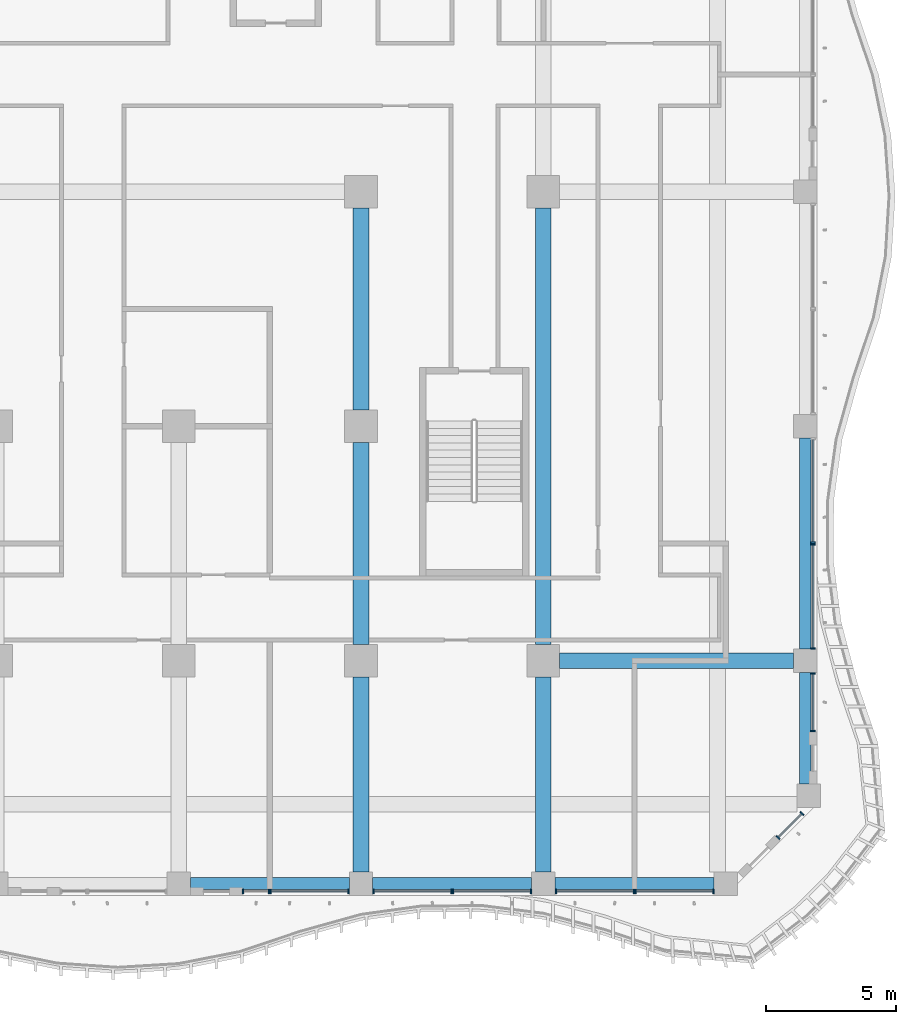
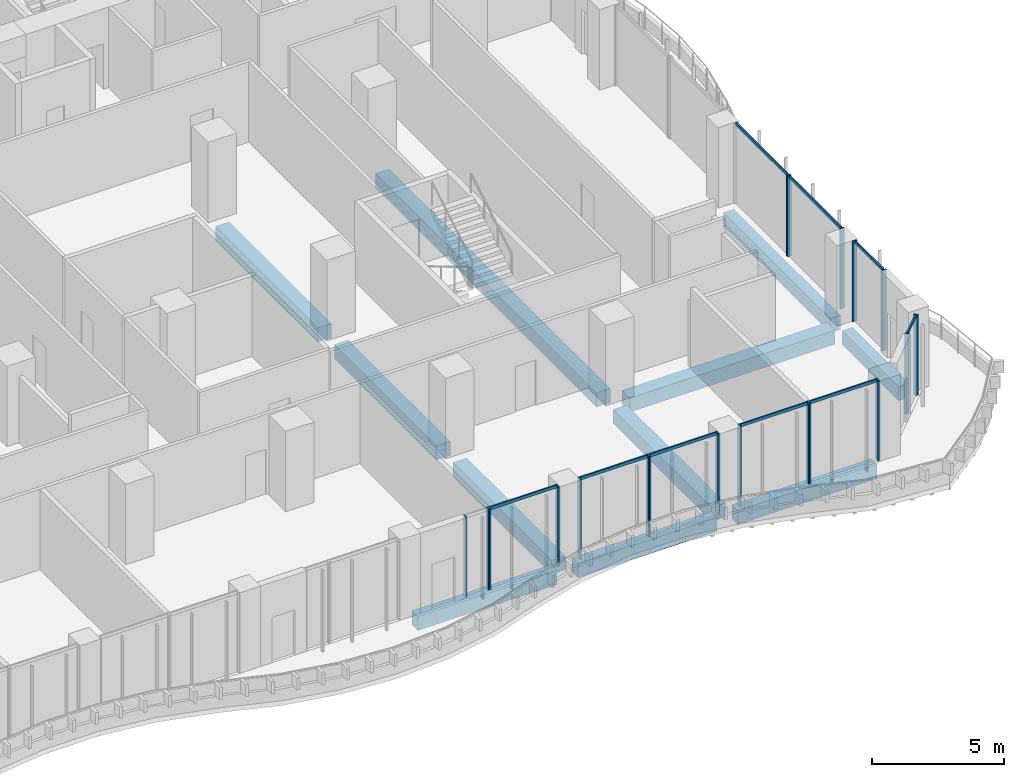
# One storey, part 4 of 26: 28 members, 11 beams, 10 elements without a shape of their own.
"""IFC4 building model written with IfcOpenShell, lengths in metres."""

import ifcopenshell
import ifcopenshell.guid

model = None  # the IFC model being written
_history = None  # IfcOwnerHistory: only IFC2X3 demands one
_inside = {}  # id of a spatial element -> (the spatial element, [elements in it])
_under = {}  # id of a project, library or spatial element -> (it, [spatial elements below it])
_declared = {}  # id of a project -> (the project, [libraries it declares])
_typed = {}  # id of a type object -> (the type object, [elements of that type])
_made_of = {}  # id of a material, layer set ... -> (it, [elements and type objects made of it])


def new_model(schema):
    """Start an empty IFC model of exactly this schema.

    Asked for "IFC4X3", IfcOpenShell would pick the latest addendum, in which some entities
    have other attributes; the version numbers below select the first issue.
    IFC2X3 requires an IfcOwnerHistory on every rooted entity: one is made here for all.
    """
    global model, _history
    if schema == "IFC4X3":
        model = ifcopenshell.file(schema_version=(4, 3, 0, 0))
    else:
        model = ifcopenshell.file(schema=schema)
    _inside.clear()
    _under.clear()
    _declared.clear()
    _typed.clear()
    _made_of.clear()
    _history = None
    if model.schema == "IFC2X3":
        org = make("IfcOrganization", Name="unknown")
        user = make(
            "IfcPersonAndOrganization",
            ThePerson=make("IfcPerson", FamilyName="unknown"),
            TheOrganization=org,
        )
        app = make(
            "IfcApplication",
            ApplicationDeveloper=org,
            Version="unknown",
            ApplicationFullName="unknown",
            ApplicationIdentifier="unknown",
        )
        _history = make(
            "IfcOwnerHistory",
            OwningUser=user,
            OwningApplication=app,
            ChangeAction="ADDED",
            CreationDate=0,
        )
    return model


def make(cls, **values):
    """One entity of the class cls with the attributes given. An attribute that is None is left unset."""
    return model.create_entity(
        cls, **{name: value for name, value in values.items() if value is not None}
    )


def rooted(cls, **values):
    """An entity with a GlobalId (a new one), such as an element, a storey or a relation."""
    return make(cls, GlobalId=ifcopenshell.guid.new(), OwnerHistory=_history, **values)


def si_unit(unit_type, name, prefix=None):
    """IfcSIUnit, for example si_unit("LENGTHUNIT", "METRE", prefix="MILLI")."""
    return make("IfcSIUnit", UnitType=unit_type, Prefix=prefix, Name=name)


def assignment(units):
    """IfcUnitAssignment: the units of a project."""
    return None if units is None else make("IfcUnitAssignment", Units=units)


def point(xyz):
    """IfcCartesianPoint."""
    return None if xyz is None else make("IfcCartesianPoint", Coordinates=xyz)


def direction(xyz):
    """IfcDirection."""
    return None if xyz is None else make("IfcDirection", DirectionRatios=xyz)


def frame(location, z_axis=None, x_axis=None):
    """IfcAxis2Placement3D, a coordinate frame: its origin and axes. An axis left out is left unset."""
    return make(
        "IfcAxis2Placement3D",
        Location=point(location),
        Axis=direction(z_axis),
        RefDirection=direction(x_axis),
    )


def frame_2d(location, x_axis=None):
    """IfcAxis2Placement2D, a coordinate frame in the plane: its origin and x axis."""
    return make(
        "IfcAxis2Placement2D", Location=point(location), RefDirection=direction(x_axis)
    )


def origin():
    """The frame at (0, 0, 0) with its axes left unset."""
    return frame((0.0, 0.0, 0.0))


def origin_2d():
    """The frame at (0, 0) in the plane with its x axis left unset."""
    return frame_2d((0.0, 0.0))


def place(relative_to, where):
    """IfcLocalPlacement: puts the frame where relative to a parent placement (None: the world)."""
    return make(
        "IfcLocalPlacement", PlacementRelTo=relative_to, RelativePlacement=where
    )


def context(
    kind, dimensions, precision=None, world=None, true_north=None, identifier=None
):
    """IfcGeometricRepresentationContext, for example the 3D "Model" context."""
    return make(
        "IfcGeometricRepresentationContext",
        ContextIdentifier=identifier,
        ContextType=kind,
        CoordinateSpaceDimension=dimensions,
        Precision=precision,
        WorldCoordinateSystem=world,
        TrueNorth=true_north,
    )


def subcontext(parent, identifier, kind, view, scale=None):
    """IfcGeometricRepresentationSubContext, for example "Body" below "Model"."""
    return make(
        "IfcGeometricRepresentationSubContext",
        ContextIdentifier=identifier,
        ContextType=kind,
        ParentContext=parent,
        TargetScale=scale,
        TargetView=view,
    )


def project(units=None, contexts=None):
    """IfcProject with its units and contexts."""
    return rooted(
        "IfcProject",
        Name="project",
        RepresentationContexts=contexts,
        UnitsInContext=assignment(units),
    )


def spatial(cls, under=None, at=None, **own):
    """A site, building, storey or space (cls), placed at a placement, below another one or the project."""
    s = rooted(cls, ObjectPlacement=at, **own)
    if under is not None:
        _under.setdefault(under.id(), (under, []))[1].append(s)
    return s


def profile(cls, at=None, kind="AREA", **sizes):
    """A parametric profile (cls). Its sizes go by their IFC names, for example OverallWidth=200.0."""
    return make(cls, ProfileType=kind, Position=at, **sizes)


def rectangle(**sizes):
    """IfcRectangleProfileDef."""
    return profile("IfcRectangleProfileDef", **sizes)


def extrude(swept, where, along, depth):
    """IfcExtrudedAreaSolid: the profile swept, set in the frame where, extruded along a direction by depth."""
    return make(
        "IfcExtrudedAreaSolid",
        SweptArea=swept,
        Position=where,
        ExtrudedDirection=direction(along),
        Depth=depth,
    )


def shape(context_of_items, identifier, shape_type, items):
    """IfcShapeRepresentation: the items that make up one representation, for example the "Body"."""
    return make(
        "IfcShapeRepresentation",
        ContextOfItems=context_of_items,
        RepresentationIdentifier=identifier,
        RepresentationType=shape_type,
        Items=items,
    )


def source(mapping_origin, context_of_items, identifier, shape_type, items):
    """IfcRepresentationMap: a shape defined once, which mapped items show again and again."""
    return make(
        "IfcRepresentationMap",
        MappingOrigin=mapping_origin,
        MappedRepresentation=shape(context_of_items, identifier, shape_type, items),
    )


def transform(
    local_origin,
    x_axis=None,
    y_axis=None,
    z_axis=None,
    scale=None,
    scale2=None,
    scale3=None,
    uniform=True,
):
    """IfcCartesianTransformationOperator3D, or its non-uniform kind. x_axis, y_axis, z_axis: its Axis1, 2, 3."""
    if uniform:
        return make(
            "IfcCartesianTransformationOperator3D",
            Axis1=direction(x_axis),
            Axis2=direction(y_axis),
            LocalOrigin=point(local_origin),
            Scale=scale,
            Axis3=direction(z_axis),
        )
    return make(
        "IfcCartesianTransformationOperator3DnonUniform",
        Axis1=direction(x_axis),
        Axis2=direction(y_axis),
        LocalOrigin=point(local_origin),
        Scale=scale,
        Axis3=direction(z_axis),
        Scale2=scale2,
        Scale3=scale3,
    )


def mapped(mapping_source, mapping_target):
    """IfcMappedItem: shows the shape of a source again, moved by a transform."""
    return make(
        "IfcMappedItem", MappingSource=mapping_source, MappingTarget=mapping_target
    )


def material(Name=None, Category=None):
    """IfcMaterial."""
    return make("IfcMaterial", Name=Name, Category=Category)


def material_profile(
    of_material, cross_section, Name=None, Category=None, Priority=None
):
    """IfcMaterialProfile: a cross section and its material."""
    return make(
        "IfcMaterialProfile",
        Name=Name,
        Material=of_material,
        Profile=cross_section,
        Priority=Priority,
        Category=Category,
    )


def profile_set(profiles, Name=None, composite=None):
    """IfcMaterialProfileSet."""
    return make(
        "IfcMaterialProfileSet",
        Name=Name,
        MaterialProfiles=profiles,
        CompositeProfile=composite,
    )


def made_of(thing, what):
    """Note that an element or type object is made of a material, layer set ...; save() writes the relation."""
    if what is not None:
        _made_of.setdefault(what.id(), (what, []))[1].append(thing)
    return thing


def type_object(cls, material=None, **own):
    """A type object (cls), such as IfcWallType, which elements share."""
    return made_of(rooted(cls, **own), material)


def element(
    cls,
    number,
    at=None,
    inside=None,
    cuts=None,
    type_object=None,
    material=None,
    context=None,
    identifier="Body",
    shape_type=None,
    held_by="IfcProductDefinitionShape",
    body=None,
    shapes=None,
    **own,
):
    """One element of the class cls, such as IfcWall. Its Tag is "e" and its number.

    at: its placement. inside: the storey or other place that contains it. cuts: it is an
    opening in that element (IfcRelVoidsElement). A single representation is given by context,
    identifier, shape_type and body (its items); several are given by shapes. held_by: the class
    of the entity that holds the representations. save() writes the other relations.
    """
    e = rooted(cls, Tag="e%d" % number, ObjectPlacement=at, **own)
    if body is not None:
        shapes = [shape(context, identifier, shape_type, body)]
    if shapes is not None:
        e.Representation = make(held_by, Representations=shapes)
    if inside is not None:
        _inside.setdefault(inside.id(), (inside, []))[1].append(e)
    if cuts is not None:
        rooted(
            "IfcRelVoidsElement", RelatingBuildingElement=cuts, RelatedOpeningElement=e
        )
    if type_object is not None:
        _typed.setdefault(type_object.id(), (type_object, []))[1].append(e)
    return made_of(e, material)


def aggregate(whole, parts):
    """IfcRelAggregates: a whole, such as a stair, and the parts it consists of."""
    return rooted("IfcRelAggregates", RelatingObject=whole, RelatedObjects=parts)


def save(model, path):
    """Write the relations noted so far, then the file.

    IfcRelAggregates (storeys below a building ...), IfcRelContainedInSpatialStructure (elements
    in a storey), IfcRelDefinesByType, IfcRelAssociatesMaterial and IfcRelDeclares: one each for
    every whole, place, type object, material and project.
    """
    for whole, parts in _under.values():
        aggregate(whole, parts)
    for where, things in _inside.values():
        rooted(
            "IfcRelContainedInSpatialStructure",
            RelatedElements=things,
            RelatingStructure=where,
        )
    for kind, things in _typed.values():
        rooted("IfcRelDefinesByType", RelatedObjects=things, RelatingType=kind)
    for what, things in _made_of.values():
        rooted("IfcRelAssociatesMaterial", RelatedObjects=things, RelatingMaterial=what)
    for by, libraries in _declared.values():
        rooted("IfcRelDeclares", RelatingContext=by, RelatedDefinitions=libraries)
    model.write(path)


model = new_model("IFC4")

# Units and contexts
model_context = context("Model", 3, precision=1e-05, world=origin(), true_north=direction((0.0, 1.0)))
body_context = subcontext(model_context, "Body", "Model", "MODEL_VIEW")
ifc_project = project(units=[si_unit("LENGTHUNIT", "METRE"), si_unit("AREAUNIT", "SQUARE_METRE"), si_unit("VOLUMEUNIT", "CUBIC_METRE"), si_unit("PLANEANGLEUNIT", "RADIAN"), si_unit("MASSUNIT", "GRAM", prefix="KILO")], contexts=[model_context])

# Site, building, storey
site_placement = place(None, origin())
site = spatial("IfcSite", under=ifc_project, at=site_placement, CompositionType="ELEMENT")
building_placement = place(site_placement, origin())
building = spatial("IfcBuilding", under=site, at=building_placement, Name="Kilnfold Tower and Market Hall", CompositionType="ELEMENT")
storey_placement = place(building_placement, frame((0.0, 0.0, 83.199951171875)))
storey = spatial("IfcBuildingStorey", under=building, at=storey_placement, Name="L19", CompositionType="ELEMENT", Elevation=83.199951171875)

# Beams
ifc_material_1 = material(Name="Concrete C45", Category="concrete")
ifc_material_profile_1 = material_profile(ifc_material_1, rectangle(XDim=0.449951171875, YDim=0.64990234375, at=origin_2d()), Name="RC 450x650")
ifc_profile_set_1 = profile_set([ifc_material_profile_1], Name="Concrete C45")
beam_type_1 = type_object("IfcBeamType", Name="EDGE BEAM 450X650 C45", PredefinedType="BEAM", material=ifc_profile_set_1)
shared_shape_1 = source(origin(), body_context, "Body", "SweptSolid", [
    extrude(rectangle(XDim=0.449951171875, YDim=0.64990234375, at=origin_2d()), origin(), (0.0, 0.0, 1.0), 6.10009765625),
])
for number, where, z_axis, x_axis, name in (
    (1, (8.949951171875, -27.550048828125, -0.60498046875), (1.0, 0.0, 0.0), (0.0, 1.0, 0.0), "Beam EB650-B2.64"),
    (2, (15.949951171875, -27.550048828125, -0.60498046875), (1.0, 0.0, 0.0), (0.0, 1.0, 0.0), "Beam EB650-B2.65"),
    (3, (22.949951171875, -27.550048828125, -0.60498046875), (1.0, 0.0, 0.0), (0.0, 1.0, 0.0), "Beam EB650-B2.66"),
):
    element("IfcBeam", number, at=place(storey_placement, frame(where, z_axis=z_axis, x_axis=x_axis)), inside=storey, type_object=beam_type_1, Name=name, PredefinedType="BEAM", context=body_context, shape_type="MappedRepresentation", body=[
        mapped(shared_shape_1, transform((0.0, 0.0, 0.0))),
    ])
shared_shape_2 = source(origin(), body_context, "Body", "SweptSolid", [
    extrude(rectangle(XDim=0.449951171875, YDim=0.64990234375, at=origin_2d()), origin(), (0.0, 0.0, 1.0), 8.10009765625),
])
beam_1_placement = place(storey_placement, frame((32.550048828125, -18.550048828125, -0.60498046875), z_axis=(0.0, 1.0, 0.0), x_axis=(-1.0, 0.0, 0.0)))
element("IfcBeam", 4, at=beam_1_placement, inside=storey, type_object=beam_type_1, Name="Beam EB650-B2.100", PredefinedType="BEAM", context=body_context, shape_type="MappedRepresentation", body=[
    mapped(shared_shape_2, transform((0.0, 0.0, 0.0))),
])
shared_shape_3 = source(origin(), body_context, "Body", "SweptSolid", [
    extrude(rectangle(XDim=0.449951171875, YDim=0.64990234375, at=origin_2d()), origin(), (0.0, 0.0, 1.0), 4.28173828125),
])
beam_2_placement = place(storey_placement, frame((32.550048828125, -23.731689453125, -0.60498046875), z_axis=(0.0, 1.0, 0.0), x_axis=(-1.0, 0.0, 0.0)))
element("IfcBeam", 5, at=beam_2_placement, inside=storey, type_object=beam_type_1, Name="Beam EB650-B2.99", PredefinedType="BEAM", context=body_context, shape_type="MappedRepresentation", body=[
    mapped(shared_shape_3, transform((0.0, 0.0, 0.0))),
])
ifc_material_2 = material(Name="Concrete C45", Category="concrete")
ifc_material_profile_2 = material_profile(ifc_material_2, rectangle(XDim=0.60009765625, YDim=0.64990234375, at=origin_2d()), Name="RC 600x650")
ifc_profile_set_2 = profile_set([ifc_material_profile_2], Name="Concrete C45")
beam_type_2 = type_object("IfcBeamType", Name="BEAM 600X650 C45", PredefinedType="BEAM", material=ifc_profile_set_2)
shared_shape_4 = source(origin(), body_context, "Body", "SweptSolid", [
    extrude(rectangle(XDim=0.60009765625, YDim=0.64990234375, at=origin_2d()), origin(), (0.0, 0.0, 1.0), 8.97509765625),
])
beam_3_placement = place(storey_placement, frame((23.125, -19.0, -0.60498046875), z_axis=(1.0, 0.0, 0.0), x_axis=(0.0, 1.0, 0.0)))
element("IfcBeam", 6, at=beam_3_placement, inside=storey, type_object=beam_type_2, Name="Beam BB650-B2.69", PredefinedType="BEAM", context=body_context, shape_type="MappedRepresentation", body=[
    mapped(shared_shape_4, transform((0.0, 0.0, 0.0))),
])
shared_shape_5 = source(origin(), body_context, "Body", "SweptSolid", [
    extrude(rectangle(XDim=0.60009765625, YDim=0.64990234375, at=origin_2d()), origin(), (0.0, 0.0, 1.0), 7.47509765625),
])
for number, where, z_axis, x_axis, name in (
    (7, (15.5, -27.10009765625, -0.60498046875), (0.0, 1.0, 0.0), (-1.0, 0.0, 0.0), "Beam BB650-B2.91"),
    (8, (22.5, -27.10009765625, -0.60498046875), (0.0, 1.0, 0.0), (-1.0, 0.0, 0.0), "Beam BB650-B2.94"),
):
    element("IfcBeam", number, at=place(storey_placement, frame(where, z_axis=z_axis, x_axis=x_axis)), inside=storey, type_object=beam_type_2, Name=name, PredefinedType="BEAM", context=body_context, shape_type="MappedRepresentation", body=[
        mapped(shared_shape_5, transform((0.0, 0.0, 0.0))),
    ])
shared_shape_6 = source(origin(), body_context, "Body", "SweptSolid", [
    extrude(rectangle(XDim=0.60009765625, YDim=0.64990234375, at=origin_2d()), origin(), (0.0, 0.0, 1.0), 7.75),
])
for number, where, z_axis, x_axis, name in (
    (9, (15.5, -18.375, -0.60498046875), (0.0, 1.0, 0.0), (-1.0, 0.0, 0.0), "Beam BB650-B2.92"),
    (10, (15.5, -9.375, -0.60498046875), (0.0, 1.0, 0.0), (-1.0, 0.0, 0.0), "Beam BB650-B2.93"),
):
    element("IfcBeam", number, at=place(storey_placement, frame(where, z_axis=z_axis, x_axis=x_axis)), inside=storey, type_object=beam_type_2, Name=name, PredefinedType="BEAM", context=body_context, shape_type="MappedRepresentation", body=[
        mapped(shared_shape_6, transform((0.0, 0.0, 0.0))),
    ])
shared_shape_7 = source(origin(), body_context, "Body", "SweptSolid", [
    extrude(rectangle(XDim=0.60009765625, YDim=0.64990234375, at=origin_2d()), origin(), (0.0, 0.0, 1.0), 16.75),
])
beam_4_placement = place(storey_placement, frame((22.5, -18.375, -0.60498046875), z_axis=(0.0, 1.0, 0.0), x_axis=(-1.0, 0.0, 0.0)))
element("IfcBeam", 11, at=beam_4_placement, inside=storey, type_object=beam_type_2, Name="Beam BB650-B2.95", PredefinedType="BEAM", context=body_context, shape_type="MappedRepresentation", body=[
    mapped(shared_shape_7, transform((0.0, 0.0, 0.0))),
])

# Curtain wall, members
ifc_material_3 = material(Name="Aluminium and double glazing", Category="aluminium")
curtain_wall_type = type_object("IfcCurtainWallType", Name="CW OF1 VALLEY GLAZING", PredefinedType="NOTDEFINED", material=ifc_material_3)
curtain_wall_1_placement = place(storey_placement, origin())
curtain_wall_1 = element("IfcCurtainWall", 12, at=curtain_wall_1_placement, inside=storey, type_object=curtain_wall_type, Name="Curtain wall CW1 L19 S", PredefinedType="NOTDEFINED")
ifc_material_4 = material(Name="Aluminium", Category="aluminium")
ifc_material_profile_3 = material_profile(ifc_material_4, rectangle(XDim=0.06005859375, YDim=0.179931640625, at=origin_2d()), Name="MULLION 60x180")
ifc_profile_set_3 = profile_set([ifc_material_profile_3], Name="Aluminium")
member_type_1 = type_object("IfcMemberType", Name="MULLION 60X180", PredefinedType="MULLION", material=ifc_profile_set_3)
shared_shape_8 = source(origin(), body_context, "Body", "SweptSolid", [
    extrude(rectangle(XDim=0.06005859375, YDim=0.179931640625, at=origin_2d()), origin(), (0.0, 0.0, 1.0), 3.719970703125),
])
member_1_placement = place(storey_placement, frame((10.97998046875, -27.85009765625, 0.0), z_axis=(0.0, 0.0, 1.0), x_axis=(1.0, 0.0, 0.0)))
member_1 = element("IfcMember", 13, at=member_1_placement, type_object=member_type_1, Name="CW1 mullion 1", PredefinedType="MULLION", context=body_context, shape_type="MappedRepresentation", body=[
    mapped(shared_shape_8, transform((0.0, 0.0, 0.0))),
])
member_2_placement = place(storey_placement, frame((11.969970703125, -27.85009765625, 0.0), z_axis=(0.0, 0.0, 1.0), x_axis=(1.0, 0.0, 0.0)))
member_2 = element("IfcMember", 14, at=member_2_placement, type_object=member_type_1, Name="CW1 mullion 2", PredefinedType="MULLION", context=body_context, shape_type="MappedRepresentation", body=[
    mapped(shared_shape_8, transform((0.0, 0.0, 0.0))),
])
aggregate(curtain_wall_1, [member_1, member_2])

curtain_wall_2_placement = place(storey_placement, origin())
curtain_wall_2 = element("IfcCurtainWall", 15, at=curtain_wall_2_placement, inside=storey, type_object=curtain_wall_type, Name="Curtain wall CW1 L19 S", PredefinedType="NOTDEFINED")
member_3_placement = place(storey_placement, frame((12.030029296875, -27.85009765625, 0.0), z_axis=(0.0, 0.0, 1.0), x_axis=(1.0, 0.0, 0.0)))
member_3 = element("IfcMember", 16, at=member_3_placement, type_object=member_type_1, Name="CW1 mullion 1", PredefinedType="MULLION", context=body_context, shape_type="MappedRepresentation", body=[
    mapped(shared_shape_8, transform((0.0, 0.0, 0.0))),
])
member_4_placement = place(storey_placement, frame((15.02001953125, -27.85009765625, 0.0), z_axis=(0.0, 0.0, 1.0), x_axis=(1.0, 0.0, 0.0)))
member_4 = element("IfcMember", 17, at=member_4_placement, type_object=member_type_1, Name="CW1 mullion 2", PredefinedType="MULLION", context=body_context, shape_type="MappedRepresentation", body=[
    mapped(shared_shape_8, transform((0.0, 0.0, 0.0))),
])

curtain_wall_3_placement = place(storey_placement, origin())
curtain_wall_3 = element("IfcCurtainWall", 18, at=curtain_wall_3_placement, inside=storey, type_object=curtain_wall_type, Name="Curtain wall CW1 L19 S", PredefinedType="NOTDEFINED")
member_5_placement = place(storey_placement, frame((15.97998046875, -27.85009765625, 0.0), z_axis=(0.0, 0.0, 1.0), x_axis=(1.0, 0.0, 0.0)))
member_5 = element("IfcMember", 19, at=member_5_placement, type_object=member_type_1, Name="CW1 mullion 1", PredefinedType="MULLION", context=body_context, shape_type="MappedRepresentation", body=[
    mapped(shared_shape_8, transform((0.0, 0.0, 0.0))),
])
member_6_placement = place(storey_placement, frame((18.969970703125, -27.85009765625, 0.0), z_axis=(0.0, 0.0, 1.0), x_axis=(1.0, 0.0, 0.0)))
member_6 = element("IfcMember", 20, at=member_6_placement, type_object=member_type_1, Name="CW1 mullion 2", PredefinedType="MULLION", context=body_context, shape_type="MappedRepresentation", body=[
    mapped(shared_shape_8, transform((0.0, 0.0, 0.0))),
])

curtain_wall_4_placement = place(storey_placement, origin())
curtain_wall_4 = element("IfcCurtainWall", 21, at=curtain_wall_4_placement, inside=storey, type_object=curtain_wall_type, Name="Curtain wall CW1 L19 S", PredefinedType="NOTDEFINED")
member_7_placement = place(storey_placement, frame((19.030029296875, -27.85009765625, 0.0), z_axis=(0.0, 0.0, 1.0), x_axis=(1.0, 0.0, 0.0)))
member_7 = element("IfcMember", 22, at=member_7_placement, type_object=member_type_1, Name="CW1 mullion 1", PredefinedType="MULLION", context=body_context, shape_type="MappedRepresentation", body=[
    mapped(shared_shape_8, transform((0.0, 0.0, 0.0))),
])
member_8_placement = place(storey_placement, frame((22.02001953125, -27.85009765625, 0.0), z_axis=(0.0, 0.0, 1.0), x_axis=(1.0, 0.0, 0.0)))
member_8 = element("IfcMember", 23, at=member_8_placement, type_object=member_type_1, Name="CW1 mullion 2", PredefinedType="MULLION", context=body_context, shape_type="MappedRepresentation", body=[
    mapped(shared_shape_8, transform((0.0, 0.0, 0.0))),
])

curtain_wall_5_placement = place(storey_placement, origin())
curtain_wall_5 = element("IfcCurtainWall", 24, at=curtain_wall_5_placement, inside=storey, type_object=curtain_wall_type, Name="Curtain wall CW1 L19 S", PredefinedType="NOTDEFINED")
member_9_placement = place(storey_placement, frame((22.97998046875, -27.85009765625, 0.0), z_axis=(0.0, 0.0, 1.0), x_axis=(1.0, 0.0, 0.0)))
member_9 = element("IfcMember", 25, at=member_9_placement, type_object=member_type_1, Name="CW1 mullion 1", PredefinedType="MULLION", context=body_context, shape_type="MappedRepresentation", body=[
    mapped(shared_shape_8, transform((0.0, 0.0, 0.0))),
])
member_10_placement = place(storey_placement, frame((25.969970703125, -27.85009765625, 0.0), z_axis=(0.0, 0.0, 1.0), x_axis=(1.0, 0.0, 0.0)))
member_10 = element("IfcMember", 26, at=member_10_placement, type_object=member_type_1, Name="CW1 mullion 2", PredefinedType="MULLION", context=body_context, shape_type="MappedRepresentation", body=[
    mapped(shared_shape_8, transform((0.0, 0.0, 0.0))),
])

curtain_wall_6_placement = place(storey_placement, origin())
curtain_wall_6 = element("IfcCurtainWall", 27, at=curtain_wall_6_placement, inside=storey, type_object=curtain_wall_type, Name="Curtain wall CW1 L19 S", PredefinedType="NOTDEFINED")
member_11_placement = place(storey_placement, frame((26.030029296875, -27.85009765625, 0.0), z_axis=(0.0, 0.0, 1.0), x_axis=(1.0, 0.0, 0.0)))
member_11 = element("IfcMember", 28, at=member_11_placement, type_object=member_type_1, Name="CW1 mullion 1", PredefinedType="MULLION", context=body_context, shape_type="MappedRepresentation", body=[
    mapped(shared_shape_8, transform((0.0, 0.0, 0.0))),
])
member_12_placement = place(storey_placement, frame((29.02001953125, -27.85009765625, 0.0), z_axis=(0.0, 0.0, 1.0), x_axis=(1.0, 0.0, 0.0)))
member_12 = element("IfcMember", 29, at=member_12_placement, type_object=member_type_1, Name="CW1 mullion 2", PredefinedType="MULLION", context=body_context, shape_type="MappedRepresentation", body=[
    mapped(shared_shape_8, transform((0.0, 0.0, 0.0))),
])

curtain_wall_7_placement = place(storey_placement, origin())
curtain_wall_7 = element("IfcCurtainWall", 30, at=curtain_wall_7_placement, inside=storey, type_object=curtain_wall_type, Name="Curtain wall CW1 L19 SE", PredefinedType="NOTDEFINED")
member_13_placement = place(storey_placement, frame((31.50439453125, -25.783447265625, 0.0), z_axis=(0.0, 0.0, 1.0), x_axis=(0.707106781187, 0.707106781187, 0.0)))
member_13 = element("IfcMember", 31, at=member_13_placement, type_object=member_type_1, Name="CW1 mullion 1", PredefinedType="MULLION", context=body_context, shape_type="MappedRepresentation", body=[
    mapped(shared_shape_8, transform((0.0, 0.0, 0.0))),
])
member_14_placement = place(storey_placement, frame((32.4228515625, -24.865234375, 0.0), z_axis=(0.0, 0.0, 1.0), x_axis=(0.707106781187, 0.707106781187, 0.0)))
member_14 = element("IfcMember", 32, at=member_14_placement, type_object=member_type_1, Name="CW1 mullion 2", PredefinedType="MULLION", context=body_context, shape_type="MappedRepresentation", body=[
    mapped(shared_shape_8, transform((0.0, 0.0, 0.0))),
])

curtain_wall_8_placement = place(storey_placement, origin())
curtain_wall_8 = element("IfcCurtainWall", 33, at=curtain_wall_8_placement, inside=storey, type_object=curtain_wall_type, Name="Curtain wall CW1 L19 E", PredefinedType="NOTDEFINED")
member_15_placement = place(storey_placement, frame((32.85009765625, -21.701904296875, 0.0), z_axis=(0.0, 0.0, 1.0), x_axis=(0.0, 1.0, 0.0)))
member_15 = element("IfcMember", 34, at=member_15_placement, type_object=member_type_1, Name="CW1 mullion 1", PredefinedType="MULLION", context=body_context, shape_type="MappedRepresentation", body=[
    mapped(shared_shape_8, transform((0.0, 0.0, 0.0))),
])
member_16_placement = place(storey_placement, frame((32.85009765625, -19.47998046875, 0.0), z_axis=(0.0, 0.0, 1.0), x_axis=(0.0, 1.0, 0.0)))
member_16 = element("IfcMember", 35, at=member_16_placement, type_object=member_type_1, Name="CW1 mullion 2", PredefinedType="MULLION", context=body_context, shape_type="MappedRepresentation", body=[
    mapped(shared_shape_8, transform((0.0, 0.0, 0.0))),
])

curtain_wall_9_placement = place(storey_placement, origin())
curtain_wall_9 = element("IfcCurtainWall", 36, at=curtain_wall_9_placement, inside=storey, type_object=curtain_wall_type, Name="Curtain wall CW1 L19 E", PredefinedType="NOTDEFINED")
member_17_placement = place(storey_placement, frame((32.85009765625, -18.52001953125, 0.0), z_axis=(0.0, 0.0, 1.0), x_axis=(0.0, 1.0, 0.0)))
member_17 = element("IfcMember", 37, at=member_17_placement, type_object=member_type_1, Name="CW1 mullion 1", PredefinedType="MULLION", context=body_context, shape_type="MappedRepresentation", body=[
    mapped(shared_shape_8, transform((0.0, 0.0, 0.0))),
])
member_18_placement = place(storey_placement, frame((32.85009765625, -14.530029296875, 0.0), z_axis=(0.0, 0.0, 1.0), x_axis=(0.0, 1.0, 0.0)))
member_18 = element("IfcMember", 38, at=member_18_placement, type_object=member_type_1, Name="CW1 mullion 2", PredefinedType="MULLION", context=body_context, shape_type="MappedRepresentation", body=[
    mapped(shared_shape_8, transform((0.0, 0.0, 0.0))),
])

# Curtain wall, member
curtain_wall_10_placement = place(storey_placement, origin())
curtain_wall_10 = element("IfcCurtainWall", 39, at=curtain_wall_10_placement, inside=storey, type_object=curtain_wall_type, Name="Curtain wall CW1 L19 E", PredefinedType="NOTDEFINED")
member_19_placement = place(storey_placement, frame((32.85009765625, -14.469970703125, 0.0), z_axis=(0.0, 0.0, 1.0), x_axis=(0.0, 1.0, 0.0)))
member_19 = element("IfcMember", 40, at=member_19_placement, type_object=member_type_1, Name="CW1 mullion 1", PredefinedType="MULLION", context=body_context, shape_type="MappedRepresentation", body=[
    mapped(shared_shape_8, transform((0.0, 0.0, 0.0))),
])

# Member
ifc_material_5 = material(Name="Aluminium", Category="aluminium")
ifc_material_profile_4 = material_profile(ifc_material_5, rectangle(XDim=0.06005859375, YDim=0.139892578125, at=origin_2d()), Name="TRANSOM 60x140")
ifc_profile_set_4 = profile_set([ifc_material_profile_4], Name="Aluminium")
member_type_2 = type_object("IfcMemberType", Name="TRANSOM 60X140", PredefinedType="USERDEFINED", material=ifc_profile_set_4)
shared_shape_9 = source(origin(), body_context, "Body", "SweptSolid", [
    extrude(rectangle(XDim=0.06005859375, YDim=0.139892578125, at=origin_2d()), origin(), (0.0, 0.0, 1.0), 2.929931640625),
])
member_20_placement = place(storey_placement, frame((12.06005859375, -27.85009765625, 3.68994140625), z_axis=(1.0, 0.0, 0.0), x_axis=(0.0, 1.0, 0.0)))
member_20 = element("IfcMember", 41, at=member_20_placement, type_object=member_type_2, Name="CW1 transom 1.2", ObjectType="TRANSOM", PredefinedType="USERDEFINED", context=body_context, shape_type="MappedRepresentation", body=[
    mapped(shared_shape_9, transform((0.0, 0.0, 0.0))),
])

aggregate(curtain_wall_2, [member_3, member_4, member_20])

member_21_placement = place(storey_placement, frame((16.010009765625, -27.85009765625, 3.68994140625), z_axis=(1.0, 0.0, 0.0), x_axis=(0.0, 1.0, 0.0)))
member_21 = element("IfcMember", 42, at=member_21_placement, type_object=member_type_2, Name="CW1 transom 1.2", ObjectType="TRANSOM", PredefinedType="USERDEFINED", context=body_context, shape_type="MappedRepresentation", body=[
    mapped(shared_shape_9, transform((0.0, 0.0, 0.0))),
])

aggregate(curtain_wall_3, [member_5, member_6, member_21])

member_22_placement = place(storey_placement, frame((19.06005859375, -27.85009765625, 3.68994140625), z_axis=(1.0, 0.0, 0.0), x_axis=(0.0, 1.0, 0.0)))
member_22 = element("IfcMember", 43, at=member_22_placement, type_object=member_type_2, Name="CW1 transom 1.2", ObjectType="TRANSOM", PredefinedType="USERDEFINED", context=body_context, shape_type="MappedRepresentation", body=[
    mapped(shared_shape_9, transform((0.0, 0.0, 0.0))),
])

aggregate(curtain_wall_4, [member_7, member_8, member_22])

member_23_placement = place(storey_placement, frame((23.010009765625, -27.85009765625, 3.68994140625), z_axis=(1.0, 0.0, 0.0), x_axis=(0.0, 1.0, 0.0)))
member_23 = element("IfcMember", 44, at=member_23_placement, type_object=member_type_2, Name="CW1 transom 1.2", ObjectType="TRANSOM", PredefinedType="USERDEFINED", context=body_context, shape_type="MappedRepresentation", body=[
    mapped(shared_shape_9, transform((0.0, 0.0, 0.0))),
])

aggregate(curtain_wall_5, [member_9, member_10, member_23])

member_24_placement = place(storey_placement, frame((26.06005859375, -27.85009765625, 3.68994140625), z_axis=(1.0, 0.0, 0.0), x_axis=(0.0, 1.0, 0.0)))
member_24 = element("IfcMember", 45, at=member_24_placement, type_object=member_type_2, Name="CW1 transom 1.2", ObjectType="TRANSOM", PredefinedType="USERDEFINED", context=body_context, shape_type="MappedRepresentation", body=[
    mapped(shared_shape_9, transform((0.0, 0.0, 0.0))),
])

aggregate(curtain_wall_6, [member_11, member_12, member_24])

shared_shape_10 = source(origin(), body_context, "Body", "SweptSolid", [
    extrude(rectangle(XDim=0.06005859375, YDim=0.139892578125, at=origin_2d()), origin(), (0.0, 0.0, 1.0), 1.23876953125),
])
member_25_placement = place(storey_placement, frame((31.525634765625, -25.76220703125, 3.68994140625), z_axis=(0.707106781187, 0.707106781187, 0.0), x_axis=(-0.707106781187, 0.707106781187, 0.0)))
member_25 = element("IfcMember", 46, at=member_25_placement, type_object=member_type_2, Name="CW1 transom 1.2", ObjectType="TRANSOM", PredefinedType="USERDEFINED", context=body_context, shape_type="MappedRepresentation", body=[
    mapped(shared_shape_10, transform((0.0, 0.0, 0.0))),
])

aggregate(curtain_wall_7, [member_13, member_14, member_25])

shared_shape_11 = source(origin(), body_context, "Body", "SweptSolid", [
    extrude(rectangle(XDim=0.06005859375, YDim=0.139892578125, at=origin_2d()), origin(), (0.0, 0.0, 1.0), 2.161865234375),
])
member_26_placement = place(storey_placement, frame((32.85009765625, -21.671875, 3.68994140625), z_axis=(0.0, 1.0, 0.0), x_axis=(-1.0, 0.0, 0.0)))
member_26 = element("IfcMember", 47, at=member_26_placement, type_object=member_type_2, Name="CW1 transom 1.2", ObjectType="TRANSOM", PredefinedType="USERDEFINED", context=body_context, shape_type="MappedRepresentation", body=[
    mapped(shared_shape_11, transform((0.0, 0.0, 0.0))),
])

aggregate(curtain_wall_8, [member_15, member_16, member_26])

shared_shape_12 = source(origin(), body_context, "Body", "SweptSolid", [
    extrude(rectangle(XDim=0.06005859375, YDim=0.139892578125, at=origin_2d()), origin(), (0.0, 0.0, 1.0), 3.929931640625),
])
member_27_placement = place(storey_placement, frame((32.85009765625, -18.489990234375, 3.68994140625), z_axis=(0.0, 1.0, 0.0), x_axis=(-1.0, 0.0, 0.0)))
member_27 = element("IfcMember", 48, at=member_27_placement, type_object=member_type_2, Name="CW1 transom 1.2", ObjectType="TRANSOM", PredefinedType="USERDEFINED", context=body_context, shape_type="MappedRepresentation", body=[
    mapped(shared_shape_12, transform((0.0, 0.0, 0.0))),
])

aggregate(curtain_wall_9, [member_17, member_18, member_27])

member_28_placement = place(storey_placement, frame((32.85009765625, -14.43994140625, 3.68994140625), z_axis=(0.0, 1.0, 0.0), x_axis=(-1.0, 0.0, 0.0)))
member_28 = element("IfcMember", 49, at=member_28_placement, type_object=member_type_2, Name="CW1 transom 1.2", ObjectType="TRANSOM", PredefinedType="USERDEFINED", context=body_context, shape_type="MappedRepresentation", body=[
    mapped(shared_shape_12, transform((0.0, 0.0, 0.0))),
])

aggregate(curtain_wall_10, [member_19, member_28])

save(model, "model.ifc")
